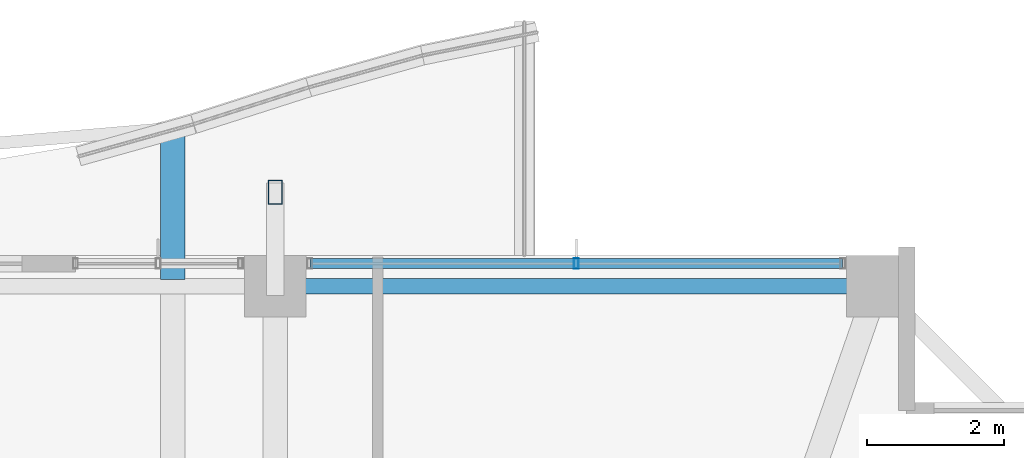
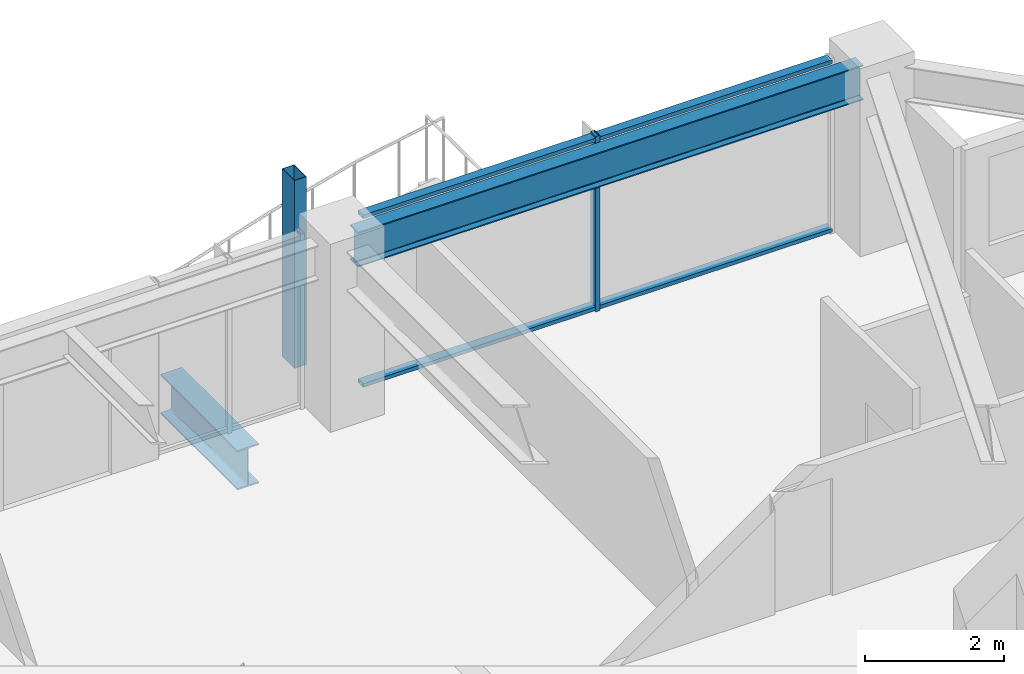
# One storey, part 21 of 37: 4 members, 2 beams, 1 element without a shape of its own.
"""IFC4 building model written with IfcOpenShell, lengths in metres."""

from ifc_helpers import new_model, si_unit, direction, frame, origin, origin_2d, place, context, subcontext, project, spatial, hollow_rectangle, i_section, extrude, material, material_profile, profile_set, type_object, element, aggregate, save


model = new_model("IFC4")

# Units and contexts
model_context = context("Model", 3, precision=1e-05, world=origin(), true_north=direction((0.0, 1.0)))
body_context = subcontext(model_context, "Body", "Model", "MODEL_VIEW")
ifc_project = project(units=[si_unit("LENGTHUNIT", "METRE"), si_unit("AREAUNIT", "SQUARE_METRE"), si_unit("VOLUMEUNIT", "CUBIC_METRE"), si_unit("PLANEANGLEUNIT", "RADIAN"), si_unit("MASSUNIT", "GRAM", prefix="KILO")], contexts=[model_context])

# Site, building, storey
site_placement = place(None, origin())
site = spatial("IfcSite", under=ifc_project, at=site_placement, CompositionType="ELEMENT")
building_placement = place(site_placement, origin())
building = spatial("IfcBuilding", under=site, at=building_placement, Name="Kolvaren Belvedere", CompositionType="ELEMENT")
storey_placement = place(building_placement, frame((0.0, 0.0, 180.0)))
storey = spatial("IfcBuildingStorey", under=building, at=storey_placement, Name="L52", CompositionType="ELEMENT", Elevation=180.0)

# Beams
ifc_material_1 = material(Name="Structural steel ASTM A992 Grade 50", Category="steel")
ifc_material_profile_1 = material_profile(ifc_material_1, i_section(OverallWidth=0.35498046875, OverallDepth=0.696044921875, WebThickness=0.015380859375, FlangeThickness=0.02490234375, FilletRadius=0.02197265625, at=origin_2d()), Name="W27X146")
ifc_profile_set_1 = profile_set([ifc_material_profile_1], Name="Structural steel ASTM A992 Grade 50")
beam_type_1 = type_object("IfcBeamType", Name="BM-CANT-BAL", PredefinedType="BEAM", material=ifc_profile_set_1)
beam_1_placement = place(storey_placement, frame((3.10009765625, 20.044921875, -0.568115234375), z_axis=(0.0, 1.0, 0.0), x_axis=(-1.0, 0.0, 0.0)))
element("IfcBeam", 1, at=beam_1_placement, inside=storey, type_object=beam_type_1, Name="L52 Planted Balcony Cantilever BAL-N-2", PredefinedType="BEAM", context=body_context, shape_type="SweptSolid", body=[
    extrude(i_section(OverallWidth=0.35498046875, OverallDepth=0.696044921875, WebThickness=0.015380859375, FlangeThickness=0.02490234375, FilletRadius=0.02197265625, at=origin_2d()), origin(), (0.0, 0.0, 1.0), 2.213623046875),
])
ifc_material_2 = material(Name="Structural steel ASTM A992 Grade 50", Category="steel")
ifc_material_profile_2 = material_profile(ifc_material_2, i_section(OverallWidth=0.22900390625, OverallDepth=0.612060546875, WebThickness=0.011962890625, FlangeThickness=0.01953125, FilletRadius=0.01806640625, at=origin_2d()), Name="W24X84")
ifc_profile_set_2 = profile_set([ifc_material_profile_2], Name="Structural steel ASTM A992 Grade 50")
beam_type_2 = type_object("IfcBeamType", Name="BM-SPAN-W24X84", PredefinedType="SPANDREL", material=ifc_profile_set_2)
beam_2_placement = place(storey_placement, frame((13.197509765625, 19.949951171875, 2.77392578125), z_axis=(-1.0, 0.0, 0.0), x_axis=(0.0, -1.0, 0.0)))
element("IfcBeam", 2, at=beam_2_placement, inside=storey, type_object=beam_type_2, Name="L52 Perimeter Spandrel N4-N3", PredefinedType="SPANDREL", context=body_context, shape_type="SweptSolid", body=[
    extrude(i_section(OverallWidth=0.22900390625, OverallDepth=0.612060546875, WebThickness=0.011962890625, FlangeThickness=0.01953125, FilletRadius=0.01806640625, at=origin_2d()), origin(), (0.0, 0.0, 1.0), 8.39501953125),
])

# Curtain wall, members
ifc_material_3 = material(Name="Anodised pale-metal aluminium AA 6063-T6", Category="aluminium")
curtain_wall_type = type_object("IfcCurtainWallType", Name="CW-Z5-HIGH", PredefinedType="NOTDEFINED", material=ifc_material_3)
curtain_wall_placement = place(storey_placement, origin())
curtain_wall = element("IfcCurtainWall", 3, at=curtain_wall_placement, inside=storey, type_object=curtain_wall_type, Name="L52 Unitised Curtain Wall FCW-L52-N2-B2", PredefinedType="NOTDEFINED")
ifc_material_4 = material(Name="Anodised pale-metal aluminium AA 6063-T6", Category="aluminium")
ifc_material_profile_3 = material_profile(ifc_material_4, hollow_rectangle(XDim=0.070068359375, YDim=0.14990234375, WallThickness=0.004150390625, at=origin_2d()), Name="ALU-MUL-150X70")
ifc_profile_set_3 = profile_set([ifc_material_profile_3], Name="Anodised pale-metal aluminium AA 6063-T6")
member_type_1 = type_object("IfcMemberType", Name="CW-MUL-150", PredefinedType="MULLION", material=ifc_profile_set_3)
member_1_placement = place(storey_placement, frame((9.0, 20.280029296875, 0.0), z_axis=(0.0, 0.0, 1.0), x_axis=(1.0, 0.0, 0.0)))
member_1 = element("IfcMember", 4, at=member_1_placement, type_object=member_type_1, Name="FCW-L52-N2-B2 Unitised Mullion 2", PredefinedType="MULLION", context=body_context, shape_type="SweptSolid", body=[
    extrude(hollow_rectangle(XDim=0.070068359375, YDim=0.14990234375, WallThickness=0.004150390625, at=origin_2d()), origin(), (0.0, 0.0, 1.0), 3.080078125),
])
ifc_material_5 = material(Name="Anodised pale-metal aluminium AA 6063-T6", Category="aluminium")
ifc_material_profile_4 = material_profile(ifc_material_5, hollow_rectangle(XDim=0.06494140625, YDim=0.14990234375, WallThickness=0.00390625, at=origin_2d()), Name="ALU-TRN-150X65")
ifc_profile_set_4 = profile_set([ifc_material_profile_4], Name="Anodised pale-metal aluminium AA 6063-T6")
member_type_2 = type_object("IfcMemberType", Name="CW-TRN-150", PredefinedType="USERDEFINED", material=ifc_profile_set_4)
member_2_placement = place(storey_placement, frame((5.10498046875, 20.280029296875, 0.06005859375), z_axis=(1.0, 0.0, 0.0), x_axis=(0.0, 0.0, 1.0)))
member_2 = element("IfcMember", 5, at=member_2_placement, type_object=member_type_2, Name="FCW-L52-N2-B2 Sill Transom", ObjectType="TRANSOM", PredefinedType="USERDEFINED", context=body_context, shape_type="SweptSolid", body=[
    extrude(hollow_rectangle(XDim=0.06494140625, YDim=0.14990234375, WallThickness=0.00390625, at=origin_2d()), origin(), (0.0, 0.0, 1.0), 7.7900390625),
])
member_3_placement = place(storey_placement, frame((5.10498046875, 20.280029296875, 3.02001953125), z_axis=(1.0, 0.0, 0.0), x_axis=(0.0, 0.0, 1.0)))
member_3 = element("IfcMember", 6, at=member_3_placement, type_object=member_type_2, Name="FCW-L52-N2-B2 Head Transom", ObjectType="TRANSOM", PredefinedType="USERDEFINED", context=body_context, shape_type="SweptSolid", body=[
    extrude(hollow_rectangle(XDim=0.06494140625, YDim=0.14990234375, WallThickness=0.00390625, at=origin_2d()), origin(), (0.0, 0.0, 1.0), 7.7900390625),
])
aggregate(curtain_wall, [member_1, member_2, member_3])

# Member
ifc_material_6 = material(Name="Anodised pale-metal aluminium AA 6063-T6", Category="aluminium")
ifc_material_profile_5 = material_profile(ifc_material_6, hollow_rectangle(XDim=0.199951171875, YDim=0.35009765625, WallThickness=0.007568359375, at=origin_2d()), Name="ALU-PF-350X200")
ifc_profile_set_5 = profile_set([ifc_material_profile_5], Name="Anodised pale-metal aluminium AA 6063-T6")
member_type_3 = type_object("IfcMemberType", Name="PF-FRAME-350", PredefinedType="USERDEFINED", material=ifc_profile_set_5)
member_4_placement = place(storey_placement, frame((4.60009765625, 21.320068359375, 0.0), z_axis=(0.0, 0.0, 1.0), x_axis=(1.0, 0.0, 0.0)))
element("IfcMember", 7, at=member_4_placement, inside=storey, type_object=member_type_3, Name="L52 Outboard Picture-Frame Vertical N2", ObjectType="PICTURE FRAME FIN", PredefinedType="USERDEFINED", context=body_context, shape_type="SweptSolid", body=[
    extrude(hollow_rectangle(XDim=0.199951171875, YDim=0.35009765625, WallThickness=0.007568359375, at=origin_2d()), origin(), (0.0, 0.0, 1.0), 3.300048828125),
])

save(model, "model.ifc")
